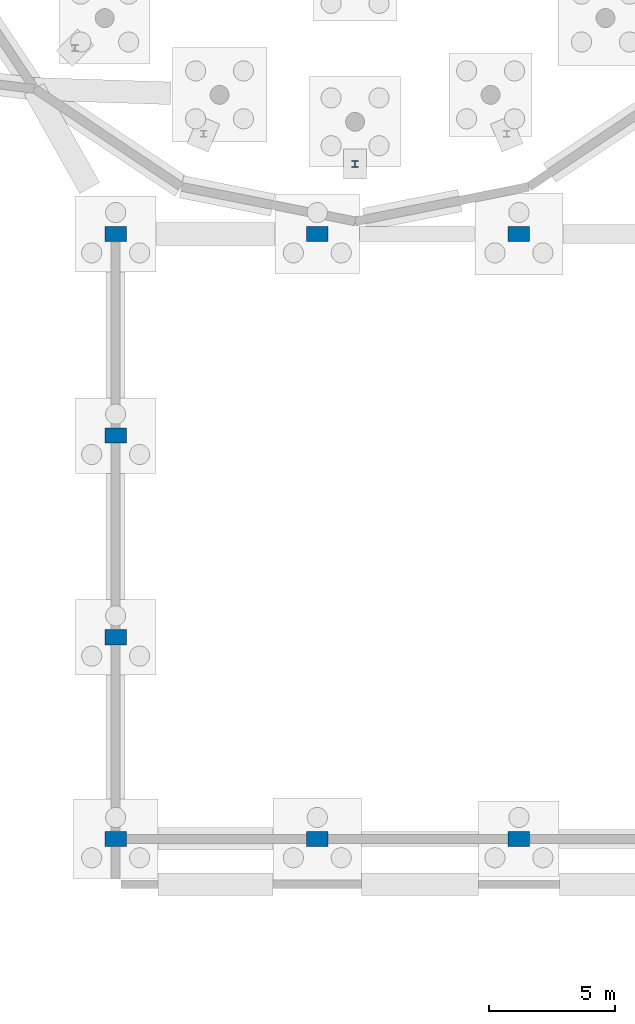
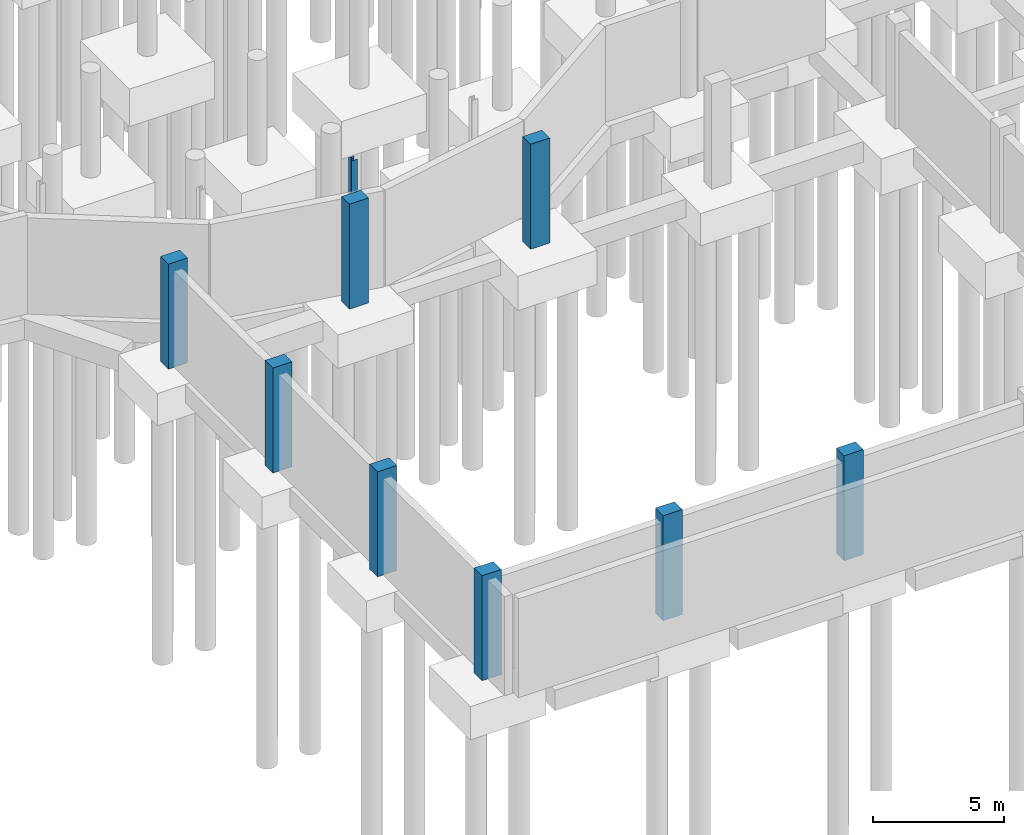
# One storey, part 18 of 51: 9 columns.
"""IFC4 building model written with IfcOpenShell, lengths in metres."""

from ifc_helpers import new_model, si_unit, direction, frame, origin, origin_2d, place, context, subcontext, project, spatial, rectangle, i_section, extrude, material, material_profile, profile_set, type_object, element, save


model = new_model("IFC4")

# Units and contexts
model_context = context("Model", 3, precision=1e-05, world=origin(), true_north=direction((0.0, 1.0)))
body_context = subcontext(model_context, "Body", "Model", "MODEL_VIEW")
ifc_project = project(units=[si_unit("LENGTHUNIT", "METRE"), si_unit("AREAUNIT", "SQUARE_METRE"), si_unit("VOLUMEUNIT", "CUBIC_METRE"), si_unit("PLANEANGLEUNIT", "RADIAN"), si_unit("MASSUNIT", "GRAM", prefix="KILO")], contexts=[model_context])

# Site, building, storey
site_placement = place(None, origin())
site = spatial("IfcSite", under=ifc_project, at=site_placement, CompositionType="ELEMENT")
building_placement = place(site_placement, origin())
building = spatial("IfcBuilding", under=site, at=building_placement, Name="Jelvoka-Kovrelna Polytechnic", CompositionType="ELEMENT")
storey_placement = place(building_placement, frame((0.0, 0.0, -4.5)))
storey = spatial("IfcBuildingStorey", under=building, at=storey_placement, Name="B01", CompositionType="ELEMENT", Elevation=-4.5)

# Columns
ifc_material_1 = material(Name="Concrete C40/50", Category="concrete")
ifc_material_profile_1 = material_profile(ifc_material_1, rectangle(XDim=0.60009765625, YDim=0.85009765625, at=origin_2d()), Name="RC 600x850")
ifc_profile_set_1 = profile_set([ifc_material_profile_1], Name="Concrete C40/50")
column_type_1 = type_object("IfcColumnType", Name="Col_RC_600x850", PredefinedType="COLUMN", material=ifc_profile_set_1)
for number, where, z_axis, x_axis, name in (
    (1, (16.0, 0.0, -0.405029296875), (0.0, 0.0, 1.0), (0.0, 1.0, 0.0), "B01 column 0001"),
    (2, (24.0, 0.0, -0.405029296875), (0.0, 0.0, 1.0), (0.0, 1.0, 0.0), "B01 column 0005"),
    (3, (32.0, 0.0, -0.405029296875), (0.0, 0.0, 1.0), (0.0, 1.0, 0.0), "B01 column 0009"),
    (4, (16.0, 8.0, -0.405029296875), (0.0, 0.0, 1.0), (0.0, 1.0, 0.0), "B01 column 0084"),
    (5, (16.0, 16.0, -0.405029296875), (0.0, 0.0, 1.0), (0.0, 1.0, 0.0), "B01 column 0182"),
    (6, (16.0, 24.0, -0.405029296875), (0.0, 0.0, 1.0), (0.0, 1.0, 0.0), "B01 column 0295"),
    (7, (24.0, 24.0, -0.405029296875), (0.0, 0.0, 1.0), (0.0, 1.0, 0.0), "B01 column 0299"),
    (8, (32.0, 24.0, -0.405029296875), (0.0, 0.0, 1.0), (0.0, 1.0, 0.0), "B01 column 0303"),
):
    element("IfcColumn", number, at=place(storey_placement, frame(where, z_axis=z_axis, x_axis=x_axis)), inside=storey, type_object=column_type_1, Name=name, PredefinedType="COLUMN", context=body_context, shape_type="SweptSolid", body=[
        extrude(rectangle(XDim=0.60009765625, YDim=0.85009765625, at=origin_2d()), origin(), (0.0, 0.0, 1.0), 4.905029296875),
    ])
ifc_material_2 = material(Name="Structural steel S355JR", Category="steel")
ifc_material_profile_2 = material_profile(ifc_material_2, i_section(OverallWidth=0.254638671875, OverallDepth=0.254150390625, WebThickness=0.008544921875, FlangeThickness=0.01416015625, FilletRadius=0.0126953125, at=origin_2d()), Name="254x254x73 UC")
ifc_profile_set_2 = profile_set([ifc_material_profile_2], Name="Structural steel S355JR")
column_type_2 = type_object("IfcColumnType", Name="Col_Steel_UC254", PredefinedType="COLUMN", material=ifc_profile_set_2)
column_placement = place(storey_placement, frame((25.5, 26.780029296875, -0.405029296875), z_axis=(0.0, 0.0, 1.0), x_axis=(1.0, 0.0, 0.0)))
element("IfcColumn", 9, at=column_placement, inside=storey, type_object=column_type_2, Name="B01 recessed rotunda gallery post 1776", PredefinedType="COLUMN", context=body_context, shape_type="SweptSolid", body=[
    extrude(i_section(OverallWidth=0.254638671875, OverallDepth=0.254150390625, WebThickness=0.008544921875, FlangeThickness=0.01416015625, FilletRadius=0.0126953125, at=origin_2d()), origin(), (0.0, 0.0, 1.0), 4.5),
])

save(model, "model.ifc")
